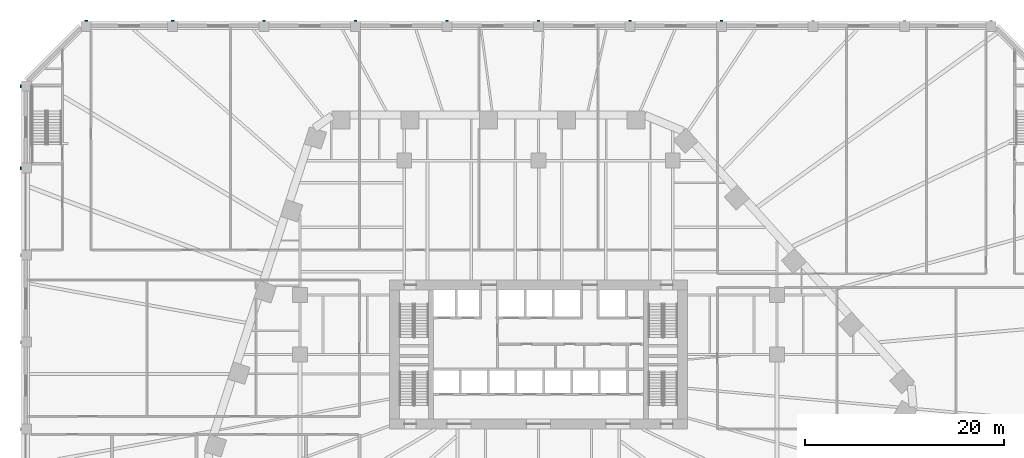
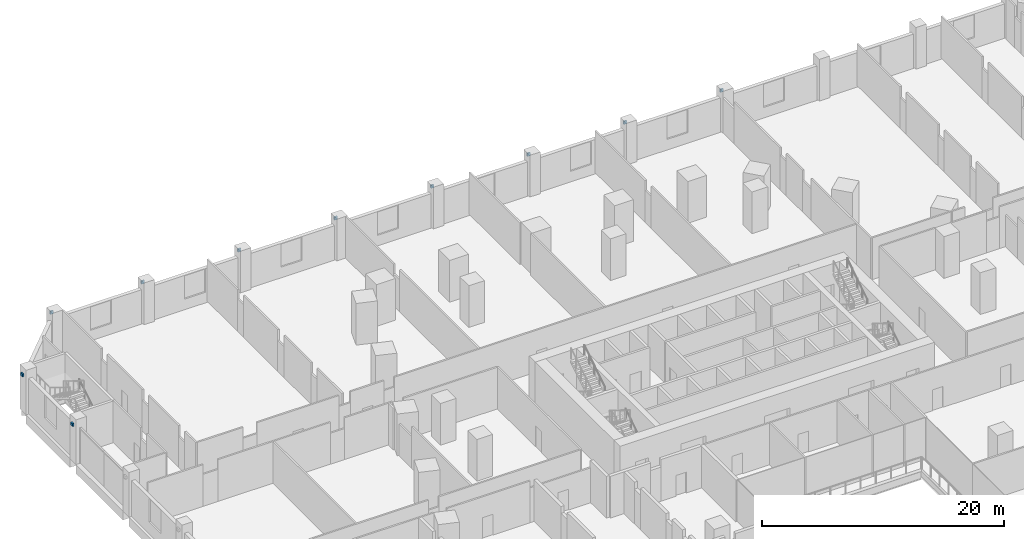
# One storey, part 27 of 33: 10 discrete accessories.
"""IFC4 building model written with IfcOpenShell, lengths in metres."""

from ifc_helpers import new_model, si_unit, direction, frame, origin, origin_2d, place, context, subcontext, project, spatial, rectangle, extrude, material, type_object, element, save


model = new_model("IFC4")

# Units and contexts
model_context = context("Model", 3, precision=1e-05, world=origin(), true_north=direction((0.0, 1.0)))
body_context = subcontext(model_context, "Body", "Model", "MODEL_VIEW")
ifc_project = project(units=[si_unit("LENGTHUNIT", "METRE"), si_unit("AREAUNIT", "SQUARE_METRE"), si_unit("VOLUMEUNIT", "CUBIC_METRE"), si_unit("PLANEANGLEUNIT", "RADIAN"), si_unit("MASSUNIT", "GRAM", prefix="KILO")], contexts=[model_context])

# Site, building, storey
site_placement = place(None, origin())
site = spatial("IfcSite", under=ifc_project, at=site_placement, CompositionType="ELEMENT")
building_placement = place(site_placement, origin())
building = spatial("IfcBuilding", under=site, at=building_placement, Name="Isthmus Gate Tower", CompositionType="ELEMENT")
storey_placement = place(building_placement, frame((0.0, 0.0, 22.5)))
storey = spatial("IfcBuildingStorey", under=building, at=storey_placement, Name="L03", CompositionType="ELEMENT", Elevation=22.5)

# Discrete accessories
ifc_material = material(Name="Structural steel ASTM A572 Gr 50, white paint system", Category="steel")
discrete_accessory_type = type_object("IfcDiscreteAccessoryType", Name="FIN BRACKET 281 X 150 X 300", PredefinedType="BRACKET", material=ifc_material)
for number, where, z_axis, x_axis, name in (
    (1, (18.39990234375, 41.074951171875, 3.35009765625), (0.0, 0.0, 1.0), (0.0, 1.0, 0.0), "FIN BRACKET"),
    (2, (9.199951171875, 41.074951171875, 3.35009765625), (0.0, 0.0, 1.0), (0.0, 1.0, 0.0), "FIN BRACKET"),
    (3, (0.0, 41.074951171875, 3.35009765625), (0.0, 0.0, 1.0), (0.0, 1.0, 0.0), "FIN BRACKET"),
    (4, (-9.199951171875, 41.074951171875, 3.35009765625), (0.0, 0.0, 1.0), (0.0, 1.0, 0.0), "FIN BRACKET"),
    (5, (-18.39990234375, 41.074951171875, 3.35009765625), (0.0, 0.0, 1.0), (0.0, 1.0, 0.0), "FIN BRACKET"),
    (6, (-27.60009765625, 41.074951171875, 3.35009765625), (0.0, 0.0, 1.0), (0.0, 1.0, 0.0), "FIN BRACKET"),
    (7, (-36.800048828125, 41.074951171875, 3.35009765625), (0.0, 0.0, 1.0), (0.0, 1.0, 0.0), "FIN BRACKET"),
    (8, (-45.5, 41.074951171875, 3.35009765625), (0.0, 0.0, 1.0), (0.0, 1.0, 0.0), "FIN BRACKET"),
    (9, (-52.074951171875, 34.5, 3.35009765625), (0.0, 0.0, 1.0), (-1.0, 0.0, 0.0), "FIN BRACKET"),
    (10, (-52.074951171875, 26.25, 3.35009765625), (0.0, 0.0, 1.0), (-1.0, 0.0, 0.0), "FIN BRACKET"),
):
    element("IfcDiscreteAccessory", number, at=place(storey_placement, frame(where, z_axis=z_axis, x_axis=x_axis)), inside=storey, type_object=discrete_accessory_type, Name=name, PredefinedType="BRACKET", context=body_context, shape_type="SweptSolid", body=[
        extrude(rectangle(XDim=0.14990234375, YDim=0.281005859375, at=origin_2d()), origin(), (0.0, 0.0, 1.0), 0.300048828125),
    ])

save(model, "model.ifc")
